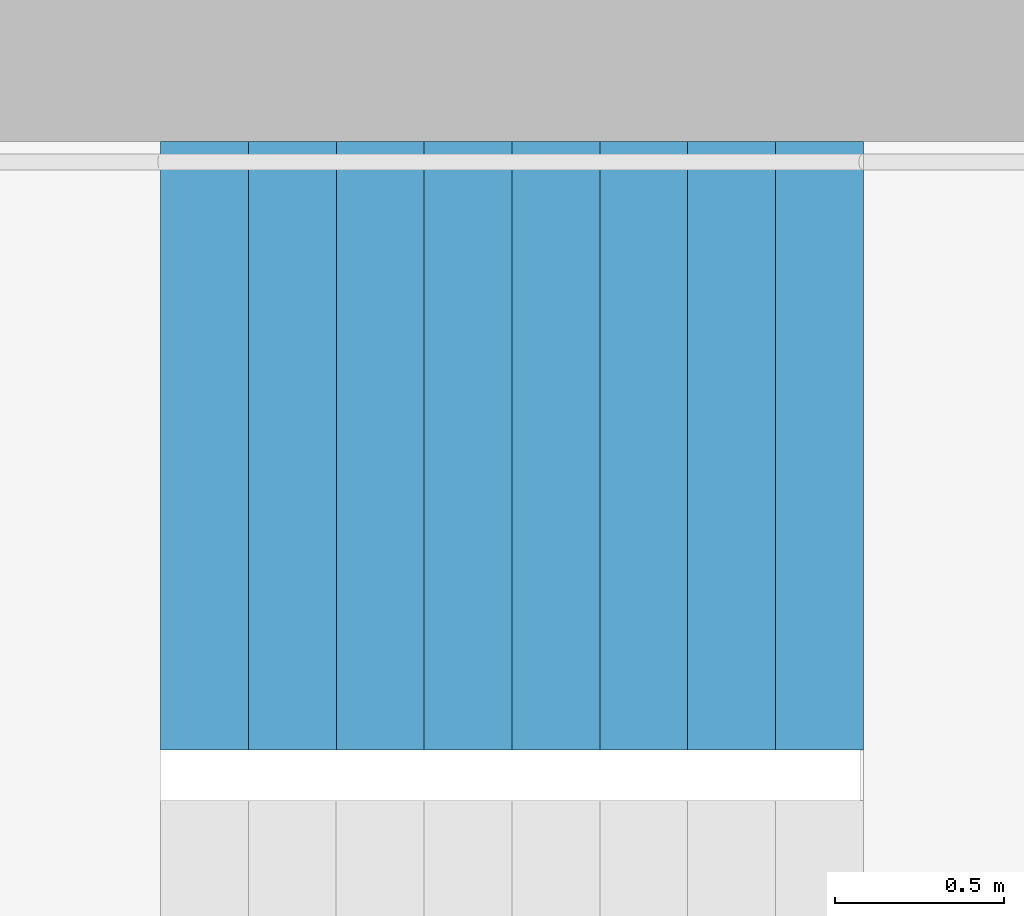
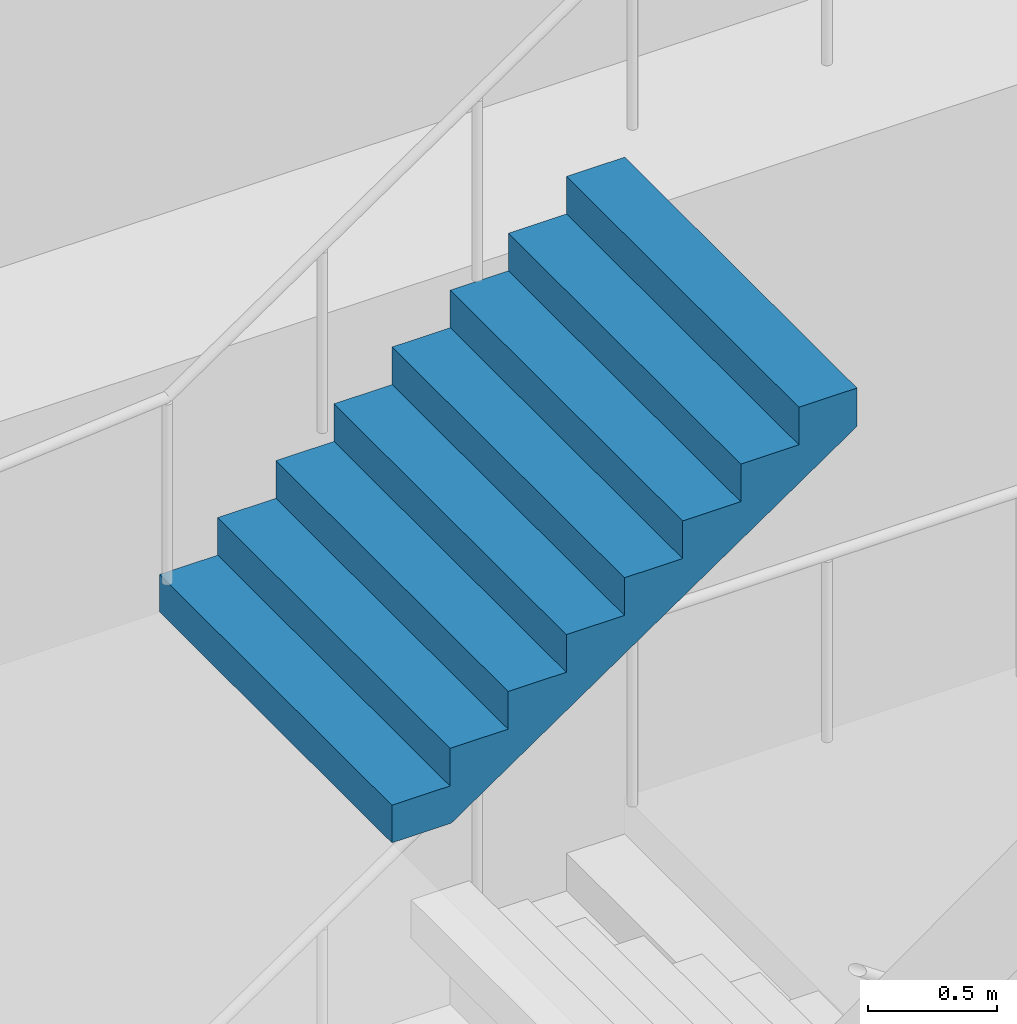
# One storey, part 30 of 41: 1 stair flight, 1 element without a shape of its own.
"""IFC4 building model written with IfcOpenShell, lengths in metres."""

import ifcopenshell
import ifcopenshell.guid

model = None  # the IFC model being written
_history = None  # IfcOwnerHistory: only IFC2X3 demands one
_inside = {}  # id of a spatial element -> (the spatial element, [elements in it])
_under = {}  # id of a project, library or spatial element -> (it, [spatial elements below it])
_declared = {}  # id of a project -> (the project, [libraries it declares])
_typed = {}  # id of a type object -> (the type object, [elements of that type])
_made_of = {}  # id of a material, layer set ... -> (it, [elements and type objects made of it])


def new_model(schema):
    """Start an empty IFC model of exactly this schema.

    Asked for "IFC4X3", IfcOpenShell would pick the latest addendum, in which some entities
    have other attributes; the version numbers below select the first issue.
    IFC2X3 requires an IfcOwnerHistory on every rooted entity: one is made here for all.
    """
    global model, _history
    if schema == "IFC4X3":
        model = ifcopenshell.file(schema_version=(4, 3, 0, 0))
    else:
        model = ifcopenshell.file(schema=schema)
    _inside.clear()
    _under.clear()
    _declared.clear()
    _typed.clear()
    _made_of.clear()
    _history = None
    if model.schema == "IFC2X3":
        org = make("IfcOrganization", Name="unknown")
        user = make(
            "IfcPersonAndOrganization",
            ThePerson=make("IfcPerson", FamilyName="unknown"),
            TheOrganization=org,
        )
        app = make(
            "IfcApplication",
            ApplicationDeveloper=org,
            Version="unknown",
            ApplicationFullName="unknown",
            ApplicationIdentifier="unknown",
        )
        _history = make(
            "IfcOwnerHistory",
            OwningUser=user,
            OwningApplication=app,
            ChangeAction="ADDED",
            CreationDate=0,
        )
    return model


def make(cls, **values):
    """One entity of the class cls with the attributes given. An attribute that is None is left unset."""
    return model.create_entity(
        cls, **{name: value for name, value in values.items() if value is not None}
    )


def rooted(cls, **values):
    """An entity with a GlobalId (a new one), such as an element, a storey or a relation."""
    return make(cls, GlobalId=ifcopenshell.guid.new(), OwnerHistory=_history, **values)


def si_unit(unit_type, name, prefix=None):
    """IfcSIUnit, for example si_unit("LENGTHUNIT", "METRE", prefix="MILLI")."""
    return make("IfcSIUnit", UnitType=unit_type, Prefix=prefix, Name=name)


def assignment(units):
    """IfcUnitAssignment: the units of a project."""
    return None if units is None else make("IfcUnitAssignment", Units=units)


def point(xyz):
    """IfcCartesianPoint."""
    return None if xyz is None else make("IfcCartesianPoint", Coordinates=xyz)


def direction(xyz):
    """IfcDirection."""
    return None if xyz is None else make("IfcDirection", DirectionRatios=xyz)


def frame(location, z_axis=None, x_axis=None):
    """IfcAxis2Placement3D, a coordinate frame: its origin and axes. An axis left out is left unset."""
    return make(
        "IfcAxis2Placement3D",
        Location=point(location),
        Axis=direction(z_axis),
        RefDirection=direction(x_axis),
    )


def origin():
    """The frame at (0, 0, 0) with its axes left unset."""
    return frame((0.0, 0.0, 0.0))


def place(relative_to, where):
    """IfcLocalPlacement: puts the frame where relative to a parent placement (None: the world)."""
    return make(
        "IfcLocalPlacement", PlacementRelTo=relative_to, RelativePlacement=where
    )


def context(
    kind, dimensions, precision=None, world=None, true_north=None, identifier=None
):
    """IfcGeometricRepresentationContext, for example the 3D "Model" context."""
    return make(
        "IfcGeometricRepresentationContext",
        ContextIdentifier=identifier,
        ContextType=kind,
        CoordinateSpaceDimension=dimensions,
        Precision=precision,
        WorldCoordinateSystem=world,
        TrueNorth=true_north,
    )


def subcontext(parent, identifier, kind, view, scale=None):
    """IfcGeometricRepresentationSubContext, for example "Body" below "Model"."""
    return make(
        "IfcGeometricRepresentationSubContext",
        ContextIdentifier=identifier,
        ContextType=kind,
        ParentContext=parent,
        TargetScale=scale,
        TargetView=view,
    )


def project(units=None, contexts=None):
    """IfcProject with its units and contexts."""
    return rooted(
        "IfcProject",
        Name="project",
        RepresentationContexts=contexts,
        UnitsInContext=assignment(units),
    )


def spatial(cls, under=None, at=None, **own):
    """A site, building, storey or space (cls), placed at a placement, below another one or the project."""
    s = rooted(cls, ObjectPlacement=at, **own)
    if under is not None:
        _under.setdefault(under.id(), (under, []))[1].append(s)
    return s


def point_list(points):
    """IfcCartesianPointList2D or 3D."""
    cls = (
        "IfcCartesianPointList2D" if len(points[0]) == 2 else "IfcCartesianPointList3D"
    )
    return make(cls, CoordList=points)


def triangles(points, corners, closed=None, point_numbers=None):
    """IfcTriangulatedFaceSet: each triangle names its three corners, points numbered from 1."""
    return make(
        "IfcTriangulatedFaceSet",
        Coordinates=point_list(points),
        Closed=closed,
        CoordIndex=corners,
        PnIndex=point_numbers,
    )


def shape(context_of_items, identifier, shape_type, items):
    """IfcShapeRepresentation: the items that make up one representation, for example the "Body"."""
    return make(
        "IfcShapeRepresentation",
        ContextOfItems=context_of_items,
        RepresentationIdentifier=identifier,
        RepresentationType=shape_type,
        Items=items,
    )


def material(Name=None, Category=None):
    """IfcMaterial."""
    return make("IfcMaterial", Name=Name, Category=Category)


def made_of(thing, what):
    """Note that an element or type object is made of a material, layer set ...; save() writes the relation."""
    if what is not None:
        _made_of.setdefault(what.id(), (what, []))[1].append(thing)
    return thing


def type_object(cls, material=None, **own):
    """A type object (cls), such as IfcWallType, which elements share."""
    return made_of(rooted(cls, **own), material)


def element(
    cls,
    number,
    at=None,
    inside=None,
    cuts=None,
    type_object=None,
    material=None,
    context=None,
    identifier="Body",
    shape_type=None,
    held_by="IfcProductDefinitionShape",
    body=None,
    shapes=None,
    **own,
):
    """One element of the class cls, such as IfcWall. Its Tag is "e" and its number.

    at: its placement. inside: the storey or other place that contains it. cuts: it is an
    opening in that element (IfcRelVoidsElement). A single representation is given by context,
    identifier, shape_type and body (its items); several are given by shapes. held_by: the class
    of the entity that holds the representations. save() writes the other relations.
    """
    e = rooted(cls, Tag="e%d" % number, ObjectPlacement=at, **own)
    if body is not None:
        shapes = [shape(context, identifier, shape_type, body)]
    if shapes is not None:
        e.Representation = make(held_by, Representations=shapes)
    if inside is not None:
        _inside.setdefault(inside.id(), (inside, []))[1].append(e)
    if cuts is not None:
        rooted(
            "IfcRelVoidsElement", RelatingBuildingElement=cuts, RelatedOpeningElement=e
        )
    if type_object is not None:
        _typed.setdefault(type_object.id(), (type_object, []))[1].append(e)
    return made_of(e, material)


def aggregate(whole, parts):
    """IfcRelAggregates: a whole, such as a stair, and the parts it consists of."""
    return rooted("IfcRelAggregates", RelatingObject=whole, RelatedObjects=parts)


def save(model, path):
    """Write the relations noted so far, then the file.

    IfcRelAggregates (storeys below a building ...), IfcRelContainedInSpatialStructure (elements
    in a storey), IfcRelDefinesByType, IfcRelAssociatesMaterial and IfcRelDeclares: one each for
    every whole, place, type object, material and project.
    """
    for whole, parts in _under.values():
        aggregate(whole, parts)
    for where, things in _inside.values():
        rooted(
            "IfcRelContainedInSpatialStructure",
            RelatedElements=things,
            RelatingStructure=where,
        )
    for kind, things in _typed.values():
        rooted("IfcRelDefinesByType", RelatedObjects=things, RelatingType=kind)
    for what, things in _made_of.values():
        rooted("IfcRelAssociatesMaterial", RelatedObjects=things, RelatingMaterial=what)
    for by, libraries in _declared.values():
        rooted("IfcRelDeclares", RelatingContext=by, RelatedDefinitions=libraries)
    model.write(path)


model = new_model("IFC4")

# Units and contexts
model_context = context("Model", 3, precision=1e-05, world=origin(), true_north=direction((0.0, 1.0)))
body_context = subcontext(model_context, "Body", "Model", "MODEL_VIEW")
ifc_project = project(units=[si_unit("LENGTHUNIT", "METRE"), si_unit("AREAUNIT", "SQUARE_METRE"), si_unit("VOLUMEUNIT", "CUBIC_METRE"), si_unit("PLANEANGLEUNIT", "RADIAN"), si_unit("MASSUNIT", "GRAM", prefix="KILO")], contexts=[model_context])

# Site, building, storey
site_placement = place(None, origin())
site = spatial("IfcSite", under=ifc_project, at=site_placement, CompositionType="ELEMENT")
building_placement = place(site_placement, origin())
building = spatial("IfcBuilding", under=site, at=building_placement, Name="Hakoniwa Tower and Hamabe Station Hall", CompositionType="ELEMENT")
storey_placement = place(building_placement, frame((0.0, 0.0, 180.199951171875)))
storey = spatial("IfcBuildingStorey", under=building, at=storey_placement, Name="L51", CompositionType="ELEMENT", Elevation=180.199951171875)

# Stair, stair flight
ifc_material_1 = material(Name="Concrete C40", Category="concrete")
stair_type = type_object("IfcStairType", Name="ESCAPE STAIR 1800", PredefinedType="HALF_TURN_STAIR", material=ifc_material_1)
stair_placement = place(storey_placement, origin())
stair = element("IfcStair", 1, at=stair_placement, inside=storey, type_object=stair_type, Name="Escape stair ST-3 L51", PredefinedType="HALF_TURN_STAIR")
ifc_material_2 = material(Name="Concrete C40", Category="concrete")
stair_flight_type = type_object("IfcStairFlightType", Name="STAIR FLIGHT 1800", PredefinedType="STRAIGHT", material=ifc_material_2)
stair_flight_placement = place(storey_placement, frame((22.320068359375, 6.60009765625, 4.800048828125), z_axis=(0.0, 0.0, 1.0), x_axis=(1.0, 0.0, 0.0)))
stair_flight = element("IfcStairFlight", 2, at=stair_flight_placement, type_object=stair_flight_type, Name="ST-3 flight 4", NumberOfRisers=9, NumberOfTreads=8, PredefinedType="STRAIGHT", RiserHeight=0.177777778, TreadLength=0.26, context=body_context, shape_type="Tessellation", body=[
    triangles([(0.0, 0.89990234375, 0.0), (0.260009765625, 0.89990234375, 0.0), (0.265625, 0.89990234375, 0.0), (0.52001953125, 0.89990234375, 0.174072265625), (0.780029296875, 0.89990234375, 0.351806640625), (1.0400390625, 0.89990234375, 0.529541015625), (1.300048828125, 0.89990234375, 0.707275390625), (1.56005859375, 0.89990234375, 0.885009765625), (1.820068359375, 0.89990234375, 1.062744140625), (2.080078125, 0.89990234375, 1.24072265625), (2.080078125, 0.89990234375, 1.422119140625), (1.820068359375, 0.89990234375, 1.422119140625), (1.820068359375, 0.89990234375, 1.244384765625), (1.56005859375, 0.89990234375, 1.244384765625), (1.56005859375, 0.89990234375, 1.066650390625), (1.300048828125, 0.89990234375, 1.066650390625), (1.300048828125, 0.89990234375, 0.888916015625), (1.0400390625, 0.89990234375, 0.888916015625), (1.0400390625, 0.89990234375, 0.711181640625), (0.780029296875, 0.89990234375, 0.711181640625), (0.780029296875, 0.89990234375, 0.533447265625), (0.52001953125, 0.89990234375, 0.533447265625), (0.52001953125, 0.89990234375, 0.35546875), (0.265625, 0.89990234375, 0.35546875), (0.260009765625, 0.89990234375, 0.35546875), (0.260009765625, 0.89990234375, 0.177734375), (0.0, 0.89990234375, 0.177734375), (0.0, 0.06005859375, 0.0), (0.260009765625, 0.06005859375, 0.0), (0.265625, 0.06005859375, 0.0), (0.52001953125, 0.06005859375, 0.174072265625), (0.780029296875, 0.06005859375, 0.351806640625), (1.0400390625, 0.06005859375, 0.529541015625), (1.300048828125, 0.06005859375, 0.707275390625), (1.56005859375, 0.06005859375, 0.885009765625), (1.820068359375, 0.06005859375, 1.062744140625), (2.080078125, 0.06005859375, 1.24072265625), (2.080078125, 0.06005859375, 1.422119140625), (1.820068359375, 0.06005859375, 1.422119140625), (1.820068359375, 0.06005859375, 1.244384765625), (1.56005859375, 0.06005859375, 1.244384765625), (1.56005859375, 0.06005859375, 1.066650390625), (1.300048828125, 0.06005859375, 1.066650390625), (1.300048828125, 0.06005859375, 0.888916015625), (1.0400390625, 0.06005859375, 0.888916015625), (1.0400390625, 0.06005859375, 0.711181640625), (0.780029296875, 0.06005859375, 0.711181640625), (0.780029296875, 0.06005859375, 0.533447265625), (0.52001953125, 0.06005859375, 0.533447265625), (0.52001953125, 0.06005859375, 0.35546875), (0.265625, 0.06005859375, 0.35546875), (0.260009765625, 0.06005859375, 0.35546875), (0.260009765625, 0.06005859375, 0.177734375), (0.0, 0.06005859375, 0.177734375), (0.0, 0.04296875, 0.0), (0.260009765625, 0.04296875, 0.0), (0.265625, 0.04296875, 0.0), (0.52001953125, 0.04296875, 0.174072265625), (0.780029296875, 0.04296875, 0.351806640625), (1.0400390625, 0.04296875, 0.529541015625), (1.300048828125, 0.04296875, 0.707275390625), (1.56005859375, 0.04296875, 0.885009765625), (1.820068359375, 0.04296875, 1.062744140625), (2.080078125, 0.04296875, 1.24072265625), (2.080078125, 0.04296875, 1.422119140625), (1.820068359375, 0.04296875, 1.422119140625), (1.820068359375, 0.04296875, 1.244384765625), (1.56005859375, 0.04296875, 1.244384765625), (1.56005859375, 0.04296875, 1.066650390625), (1.300048828125, 0.04296875, 1.066650390625), (1.300048828125, 0.04296875, 0.888916015625), (1.0400390625, 0.04296875, 0.888916015625), (1.0400390625, 0.04296875, 0.711181640625), (0.780029296875, 0.04296875, 0.711181640625), (0.780029296875, 0.04296875, 0.533447265625), (0.52001953125, 0.04296875, 0.533447265625), (0.52001953125, 0.04296875, 0.35546875), (0.265625, 0.04296875, 0.35546875), (0.260009765625, 0.04296875, 0.35546875), (0.260009765625, 0.04296875, 0.177734375), (0.0, 0.04296875, 0.177734375), (0.0, 0.025634765625, 0.0), (0.260009765625, 0.025634765625, 0.0), (0.265625, 0.025634765625, 0.0), (0.52001953125, 0.025634765625, 0.174072265625), (0.780029296875, 0.025634765625, 0.351806640625), (1.0400390625, 0.025634765625, 0.529541015625), (1.300048828125, 0.025634765625, 0.707275390625), (1.56005859375, 0.025634765625, 0.885009765625), (1.820068359375, 0.025634765625, 1.062744140625), (2.080078125, 0.025634765625, 1.24072265625), (2.080078125, 0.025634765625, 1.422119140625), (1.820068359375, 0.025634765625, 1.422119140625), (1.820068359375, 0.025634765625, 1.244384765625), (1.56005859375, 0.025634765625, 1.244384765625), (1.56005859375, 0.025634765625, 1.066650390625), (1.300048828125, 0.025634765625, 1.066650390625), (1.300048828125, 0.025634765625, 0.888916015625), (1.0400390625, 0.025634765625, 0.888916015625), (1.0400390625, 0.025634765625, 0.711181640625), (0.780029296875, 0.025634765625, 0.711181640625), (0.780029296875, 0.025634765625, 0.533447265625), (0.52001953125, 0.025634765625, 0.533447265625), (0.52001953125, 0.025634765625, 0.35546875), (0.265625, 0.025634765625, 0.35546875), (0.260009765625, 0.025634765625, 0.35546875), (0.260009765625, 0.025634765625, 0.177734375), (0.0, 0.025634765625, 0.177734375), (0.0, 0.008544921875, 0.0), (0.260009765625, 0.008544921875, 0.0), (0.265625, 0.008544921875, 0.0), (0.52001953125, 0.008544921875, 0.174072265625), (0.780029296875, 0.008544921875, 0.351806640625), (1.0400390625, 0.008544921875, 0.529541015625), (1.300048828125, 0.008544921875, 0.707275390625), (1.56005859375, 0.008544921875, 0.885009765625), (1.820068359375, 0.008544921875, 1.062744140625), (2.080078125, 0.008544921875, 1.24072265625), (2.080078125, 0.008544921875, 1.422119140625), (1.820068359375, 0.008544921875, 1.422119140625), (1.820068359375, 0.008544921875, 1.244384765625), (1.56005859375, 0.008544921875, 1.244384765625), (1.56005859375, 0.008544921875, 1.066650390625), (1.300048828125, 0.008544921875, 1.066650390625), (1.300048828125, 0.008544921875, 0.888916015625), (1.0400390625, 0.008544921875, 0.888916015625), (1.0400390625, 0.008544921875, 0.711181640625), (0.780029296875, 0.008544921875, 0.711181640625), (0.780029296875, 0.008544921875, 0.533447265625), (0.52001953125, 0.008544921875, 0.533447265625), (0.52001953125, 0.008544921875, 0.35546875), (0.265625, 0.008544921875, 0.35546875), (0.260009765625, 0.008544921875, 0.35546875), (0.260009765625, 0.008544921875, 0.177734375), (0.0, 0.008544921875, 0.177734375), (0.0, -0.008544921875, 0.0), (0.260009765625, -0.008544921875, 0.0), (0.265625, -0.008544921875, 0.0), (0.52001953125, -0.008544921875, 0.174072265625), (0.780029296875, -0.008544921875, 0.351806640625), (1.0400390625, -0.008544921875, 0.529541015625), (1.300048828125, -0.008544921875, 0.707275390625), (1.56005859375, -0.008544921875, 0.885009765625), (1.820068359375, -0.008544921875, 1.062744140625), (2.080078125, -0.008544921875, 1.24072265625), (2.080078125, -0.008544921875, 1.422119140625), (1.820068359375, -0.008544921875, 1.422119140625), (1.820068359375, -0.008544921875, 1.244384765625), (1.56005859375, -0.008544921875, 1.244384765625), (1.56005859375, -0.008544921875, 1.066650390625), (1.300048828125, -0.008544921875, 1.066650390625), (1.300048828125, -0.008544921875, 0.888916015625), (1.0400390625, -0.008544921875, 0.888916015625), (1.0400390625, -0.008544921875, 0.711181640625), (0.780029296875, -0.008544921875, 0.711181640625), (0.780029296875, -0.008544921875, 0.533447265625), (0.52001953125, -0.008544921875, 0.533447265625), (0.52001953125, -0.008544921875, 0.35546875), (0.265625, -0.008544921875, 0.35546875), (0.260009765625, -0.008544921875, 0.35546875), (0.260009765625, -0.008544921875, 0.177734375), (0.0, -0.008544921875, 0.177734375), (0.0, -0.025634765625, 0.0), (0.260009765625, -0.025634765625, 0.0), (0.265625, -0.025634765625, 0.0), (0.52001953125, -0.025634765625, 0.174072265625), (0.780029296875, -0.025634765625, 0.351806640625), (1.0400390625, -0.025634765625, 0.529541015625), (1.300048828125, -0.025634765625, 0.707275390625), (1.56005859375, -0.025634765625, 0.885009765625), (1.820068359375, -0.025634765625, 1.062744140625), (2.080078125, -0.025634765625, 1.24072265625), (2.080078125, -0.025634765625, 1.422119140625), (1.820068359375, -0.025634765625, 1.422119140625), (1.820068359375, -0.025634765625, 1.244384765625), (1.56005859375, -0.025634765625, 1.244384765625), (1.56005859375, -0.025634765625, 1.066650390625), (1.300048828125, -0.025634765625, 1.066650390625), (1.300048828125, -0.025634765625, 0.888916015625), (1.0400390625, -0.025634765625, 0.888916015625), (1.0400390625, -0.025634765625, 0.711181640625), (0.780029296875, -0.025634765625, 0.711181640625), (0.780029296875, -0.025634765625, 0.533447265625), (0.52001953125, -0.025634765625, 0.533447265625), (0.52001953125, -0.025634765625, 0.35546875), (0.265625, -0.025634765625, 0.35546875), (0.260009765625, -0.025634765625, 0.35546875), (0.260009765625, -0.025634765625, 0.177734375), (0.0, -0.025634765625, 0.177734375), (0.0, -0.04296875, 0.0), (0.260009765625, -0.04296875, 0.0), (0.265625, -0.04296875, 0.0), (0.52001953125, -0.04296875, 0.174072265625), (0.780029296875, -0.04296875, 0.351806640625), (1.0400390625, -0.04296875, 0.529541015625), (1.300048828125, -0.04296875, 0.707275390625), (1.56005859375, -0.04296875, 0.885009765625), (1.820068359375, -0.04296875, 1.062744140625), (2.080078125, -0.04296875, 1.24072265625), (2.080078125, -0.04296875, 1.422119140625), (1.820068359375, -0.04296875, 1.422119140625), (1.820068359375, -0.04296875, 1.244384765625), (1.56005859375, -0.04296875, 1.244384765625), (1.56005859375, -0.04296875, 1.066650390625), (1.300048828125, -0.04296875, 1.066650390625), (1.300048828125, -0.04296875, 0.888916015625), (1.0400390625, -0.04296875, 0.888916015625), (1.0400390625, -0.04296875, 0.711181640625), (0.780029296875, -0.04296875, 0.711181640625), (0.780029296875, -0.04296875, 0.533447265625), (0.52001953125, -0.04296875, 0.533447265625), (0.52001953125, -0.04296875, 0.35546875), (0.265625, -0.04296875, 0.35546875), (0.260009765625, -0.04296875, 0.35546875), (0.260009765625, -0.04296875, 0.177734375), (0.0, -0.04296875, 0.177734375), (0.0, -0.06005859375, 0.0), (0.260009765625, -0.06005859375, 0.0), (0.265625, -0.06005859375, 0.0), (0.52001953125, -0.06005859375, 0.174072265625), (0.780029296875, -0.06005859375, 0.351806640625), (1.0400390625, -0.06005859375, 0.529541015625), (1.300048828125, -0.06005859375, 0.707275390625), (1.56005859375, -0.06005859375, 0.885009765625), (1.820068359375, -0.06005859375, 1.062744140625), (2.080078125, -0.06005859375, 1.24072265625), (2.080078125, -0.06005859375, 1.422119140625), (1.820068359375, -0.06005859375, 1.422119140625), (1.820068359375, -0.06005859375, 1.244384765625), (1.56005859375, -0.06005859375, 1.244384765625), (1.56005859375, -0.06005859375, 1.066650390625), (1.300048828125, -0.06005859375, 1.066650390625), (1.300048828125, -0.06005859375, 0.888916015625), (1.0400390625, -0.06005859375, 0.888916015625), (1.0400390625, -0.06005859375, 0.711181640625), (0.780029296875, -0.06005859375, 0.711181640625), (0.780029296875, -0.06005859375, 0.533447265625), (0.52001953125, -0.06005859375, 0.533447265625), (0.52001953125, -0.06005859375, 0.35546875), (0.265625, -0.06005859375, 0.35546875), (0.260009765625, -0.06005859375, 0.35546875), (0.260009765625, -0.06005859375, 0.177734375), (0.0, -0.06005859375, 0.177734375), (0.0, -0.89990234375, 0.0), (0.260009765625, -0.89990234375, 0.0), (0.265625, -0.89990234375, 0.0), (0.52001953125, -0.89990234375, 0.174072265625), (0.780029296875, -0.89990234375, 0.351806640625), (1.0400390625, -0.89990234375, 0.529541015625), (1.300048828125, -0.89990234375, 0.707275390625), (1.56005859375, -0.89990234375, 0.885009765625), (1.820068359375, -0.89990234375, 1.062744140625), (2.080078125, -0.89990234375, 1.24072265625), (2.080078125, -0.89990234375, 1.422119140625), (1.820068359375, -0.89990234375, 1.422119140625), (1.820068359375, -0.89990234375, 1.244384765625), (1.56005859375, -0.89990234375, 1.244384765625), (1.56005859375, -0.89990234375, 1.066650390625), (1.300048828125, -0.89990234375, 1.066650390625), (1.300048828125, -0.89990234375, 0.888916015625), (1.0400390625, -0.89990234375, 0.888916015625), (1.0400390625, -0.89990234375, 0.711181640625), (0.780029296875, -0.89990234375, 0.711181640625), (0.780029296875, -0.89990234375, 0.533447265625), (0.52001953125, -0.89990234375, 0.533447265625), (0.52001953125, -0.89990234375, 0.35546875), (0.265625, -0.89990234375, 0.35546875), (0.260009765625, -0.89990234375, 0.35546875), (0.260009765625, -0.89990234375, 0.177734375), (0.0, -0.89990234375, 0.177734375)], [[2, 27, 26], [245, 269, 270], [2, 1, 27], [245, 270, 244], [3, 25, 24], [246, 267, 268], [3, 26, 25], [246, 268, 269], [3, 2, 26], [246, 269, 245], [4, 24, 23], [247, 266, 267], [4, 3, 24], [247, 267, 246], [5, 22, 21], [248, 264, 265], [5, 23, 22], [248, 265, 266], [5, 4, 23], [248, 266, 247], [6, 20, 19], [249, 262, 263], [6, 21, 20], [249, 263, 264], [6, 5, 21], [249, 264, 248], [7, 18, 17], [250, 260, 261], [7, 19, 18], [250, 261, 262], [7, 6, 19], [250, 262, 249], [8, 16, 15], [251, 258, 259], [8, 17, 16], [251, 259, 260], [8, 7, 17], [251, 260, 250], [9, 14, 13], [252, 256, 257], [9, 15, 14], [252, 257, 258], [9, 8, 15], [252, 258, 251], [10, 12, 11], [253, 254, 255], [10, 13, 12], [253, 255, 256], [10, 9, 13], [253, 256, 252], [1, 2, 29], [1, 29, 28], [28, 29, 56], [28, 56, 55], [55, 56, 83], [55, 83, 82], [82, 83, 110], [82, 110, 109], [109, 110, 137], [109, 137, 136], [136, 137, 164], [136, 164, 163], [163, 164, 191], [163, 191, 190], [190, 191, 218], [190, 218, 217], [217, 218, 245], [217, 245, 244], [2, 3, 30], [2, 30, 29], [29, 30, 57], [29, 57, 56], [56, 57, 84], [56, 84, 83], [83, 84, 111], [83, 111, 110], [110, 111, 138], [110, 138, 137], [137, 138, 165], [137, 165, 164], [164, 165, 192], [164, 192, 191], [191, 192, 219], [191, 219, 218], [218, 219, 246], [218, 246, 245], [3, 4, 31], [3, 31, 30], [30, 31, 58], [30, 58, 57], [57, 58, 85], [57, 85, 84], [84, 85, 112], [84, 112, 111], [111, 112, 139], [111, 139, 138], [138, 139, 166], [138, 166, 165], [165, 166, 193], [165, 193, 192], [192, 193, 220], [192, 220, 219], [219, 220, 247], [219, 247, 246], [4, 5, 32], [4, 32, 31], [31, 32, 59], [31, 59, 58], [58, 59, 86], [58, 86, 85], [85, 86, 113], [85, 113, 112], [112, 113, 140], [112, 140, 139], [139, 140, 167], [139, 167, 166], [166, 167, 194], [166, 194, 193], [193, 194, 221], [193, 221, 220], [220, 221, 248], [220, 248, 247], [5, 6, 33], [5, 33, 32], [32, 33, 60], [32, 60, 59], [59, 60, 87], [59, 87, 86], [86, 87, 114], [86, 114, 113], [113, 114, 141], [113, 141, 140], [140, 141, 168], [140, 168, 167], [167, 168, 195], [167, 195, 194], [194, 195, 222], [194, 222, 221], [221, 222, 249], [221, 249, 248], [6, 7, 34], [6, 34, 33], [33, 34, 61], [33, 61, 60], [60, 61, 88], [60, 88, 87], [87, 88, 115], [87, 115, 114], [114, 115, 142], [114, 142, 141], [141, 142, 169], [141, 169, 168], [168, 169, 196], [168, 196, 195], [195, 196, 223], [195, 223, 222], [222, 223, 250], [222, 250, 249], [7, 8, 35], [7, 35, 34], [34, 35, 62], [34, 62, 61], [61, 62, 89], [61, 89, 88], [88, 89, 116], [88, 116, 115], [115, 116, 143], [115, 143, 142], [142, 143, 170], [142, 170, 169], [169, 170, 197], [169, 197, 196], [196, 197, 224], [196, 224, 223], [223, 224, 251], [223, 251, 250], [8, 9, 36], [8, 36, 35], [35, 36, 63], [35, 63, 62], [62, 63, 90], [62, 90, 89], [89, 90, 117], [89, 117, 116], [116, 117, 144], [116, 144, 143], [143, 144, 171], [143, 171, 170], [170, 171, 198], [170, 198, 197], [197, 198, 225], [197, 225, 224], [224, 225, 252], [224, 252, 251], [9, 10, 37], [9, 37, 36], [36, 37, 64], [36, 64, 63], [63, 64, 91], [63, 91, 90], [90, 91, 118], [90, 118, 117], [117, 118, 145], [117, 145, 144], [144, 145, 172], [144, 172, 171], [171, 172, 199], [171, 199, 198], [198, 199, 226], [198, 226, 225], [225, 226, 253], [225, 253, 252], [10, 11, 38], [10, 38, 37], [37, 38, 65], [37, 65, 64], [64, 65, 92], [64, 92, 91], [91, 92, 119], [91, 119, 118], [118, 119, 146], [118, 146, 145], [145, 146, 173], [145, 173, 172], [172, 173, 200], [172, 200, 199], [199, 200, 227], [199, 227, 226], [226, 227, 254], [226, 254, 253], [11, 12, 39], [11, 39, 38], [38, 39, 66], [38, 66, 65], [65, 66, 93], [65, 93, 92], [92, 93, 120], [92, 120, 119], [119, 120, 147], [119, 147, 146], [146, 147, 174], [146, 174, 173], [173, 174, 201], [173, 201, 200], [200, 201, 228], [200, 228, 227], [227, 228, 255], [227, 255, 254], [12, 13, 40], [12, 40, 39], [39, 40, 67], [39, 67, 66], [66, 67, 94], [66, 94, 93], [93, 94, 121], [93, 121, 120], [120, 121, 148], [120, 148, 147], [147, 148, 175], [147, 175, 174], [174, 175, 202], [174, 202, 201], [201, 202, 229], [201, 229, 228], [228, 229, 256], [228, 256, 255], [13, 14, 41], [13, 41, 40], [40, 41, 68], [40, 68, 67], [67, 68, 95], [67, 95, 94], [94, 95, 122], [94, 122, 121], [121, 122, 149], [121, 149, 148], [148, 149, 176], [148, 176, 175], [175, 176, 203], [175, 203, 202], [202, 203, 230], [202, 230, 229], [229, 230, 257], [229, 257, 256], [14, 15, 42], [14, 42, 41], [41, 42, 69], [41, 69, 68], [68, 69, 96], [68, 96, 95], [95, 96, 123], [95, 123, 122], [122, 123, 150], [122, 150, 149], [149, 150, 177], [149, 177, 176], [176, 177, 204], [176, 204, 203], [203, 204, 231], [203, 231, 230], [230, 231, 258], [230, 258, 257], [15, 16, 43], [15, 43, 42], [42, 43, 70], [42, 70, 69], [69, 70, 97], [69, 97, 96], [96, 97, 124], [96, 124, 123], [123, 124, 151], [123, 151, 150], [150, 151, 178], [150, 178, 177], [177, 178, 205], [177, 205, 204], [204, 205, 232], [204, 232, 231], [231, 232, 259], [231, 259, 258], [16, 17, 44], [16, 44, 43], [43, 44, 71], [43, 71, 70], [70, 71, 98], [70, 98, 97], [97, 98, 125], [97, 125, 124], [124, 125, 152], [124, 152, 151], [151, 152, 179], [151, 179, 178], [178, 179, 206], [178, 206, 205], [205, 206, 233], [205, 233, 232], [232, 233, 260], [232, 260, 259], [17, 18, 45], [17, 45, 44], [44, 45, 72], [44, 72, 71], [71, 72, 99], [71, 99, 98], [98, 99, 126], [98, 126, 125], [125, 126, 153], [125, 153, 152], [152, 153, 180], [152, 180, 179], [179, 180, 207], [179, 207, 206], [206, 207, 234], [206, 234, 233], [233, 234, 261], [233, 261, 260], [18, 19, 46], [18, 46, 45], [45, 46, 73], [45, 73, 72], [72, 73, 100], [72, 100, 99], [99, 100, 127], [99, 127, 126], [126, 127, 154], [126, 154, 153], [153, 154, 181], [153, 181, 180], [180, 181, 208], [180, 208, 207], [207, 208, 235], [207, 235, 234], [234, 235, 262], [234, 262, 261], [19, 20, 47], [19, 47, 46], [46, 47, 74], [46, 74, 73], [73, 74, 101], [73, 101, 100], [100, 101, 128], [100, 128, 127], [127, 128, 155], [127, 155, 154], [154, 155, 182], [154, 182, 181], [181, 182, 209], [181, 209, 208], [208, 209, 236], [208, 236, 235], [235, 236, 263], [235, 263, 262], [20, 21, 48], [20, 48, 47], [47, 48, 75], [47, 75, 74], [74, 75, 102], [74, 102, 101], [101, 102, 129], [101, 129, 128], [128, 129, 156], [128, 156, 155], [155, 156, 183], [155, 183, 182], [182, 183, 210], [182, 210, 209], [209, 210, 237], [209, 237, 236], [236, 237, 264], [236, 264, 263], [21, 22, 49], [21, 49, 48], [48, 49, 76], [48, 76, 75], [75, 76, 103], [75, 103, 102], [102, 103, 130], [102, 130, 129], [129, 130, 157], [129, 157, 156], [156, 157, 184], [156, 184, 183], [183, 184, 211], [183, 211, 210], [210, 211, 238], [210, 238, 237], [237, 238, 265], [237, 265, 264], [22, 23, 50], [22, 50, 49], [49, 50, 77], [49, 77, 76], [76, 77, 104], [76, 104, 103], [103, 104, 131], [103, 131, 130], [130, 131, 158], [130, 158, 157], [157, 158, 185], [157, 185, 184], [184, 185, 212], [184, 212, 211], [211, 212, 239], [211, 239, 238], [238, 239, 266], [238, 266, 265], [23, 24, 51], [23, 51, 50], [50, 51, 78], [50, 78, 77], [77, 78, 105], [77, 105, 104], [104, 105, 132], [104, 132, 131], [131, 132, 159], [131, 159, 158], [158, 159, 186], [158, 186, 185], [185, 186, 213], [185, 213, 212], [212, 213, 240], [212, 240, 239], [239, 240, 267], [239, 267, 266], [24, 25, 52], [24, 52, 51], [51, 52, 79], [51, 79, 78], [78, 79, 106], [78, 106, 105], [105, 106, 133], [105, 133, 132], [132, 133, 160], [132, 160, 159], [159, 160, 187], [159, 187, 186], [186, 187, 214], [186, 214, 213], [213, 214, 241], [213, 241, 240], [240, 241, 268], [240, 268, 267], [25, 26, 53], [25, 53, 52], [52, 53, 80], [52, 80, 79], [79, 80, 107], [79, 107, 106], [106, 107, 134], [106, 134, 133], [133, 134, 161], [133, 161, 160], [160, 161, 188], [160, 188, 187], [187, 188, 215], [187, 215, 214], [214, 215, 242], [214, 242, 241], [241, 242, 269], [241, 269, 268], [26, 27, 54], [26, 54, 53], [53, 54, 81], [53, 81, 80], [80, 81, 108], [80, 108, 107], [107, 108, 135], [107, 135, 134], [134, 135, 162], [134, 162, 161], [161, 162, 189], [161, 189, 188], [188, 189, 216], [188, 216, 215], [215, 216, 243], [215, 243, 242], [242, 243, 270], [242, 270, 269], [27, 1, 28], [27, 28, 54], [54, 28, 55], [54, 55, 81], [81, 55, 82], [81, 82, 108], [108, 82, 109], [108, 109, 135], [135, 109, 136], [135, 136, 162], [162, 136, 163], [162, 163, 189], [189, 163, 190], [189, 190, 216], [216, 190, 217], [216, 217, 243], [243, 217, 244], [243, 244, 270]], closed=True),
])
aggregate(stair, [stair_flight])

save(model, "model.ifc")
